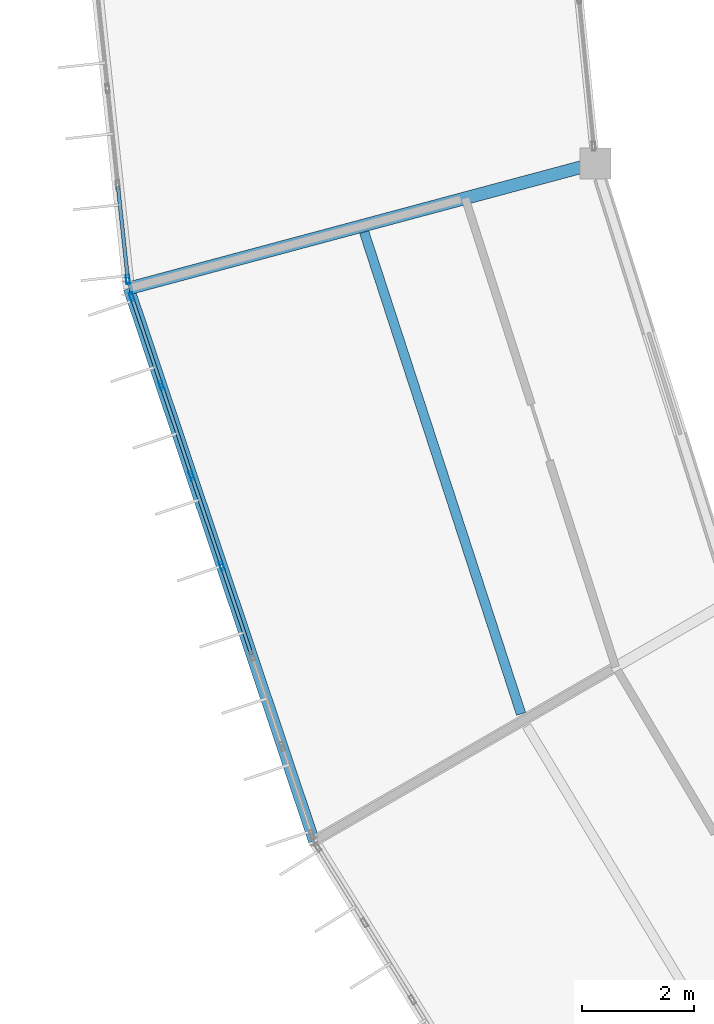
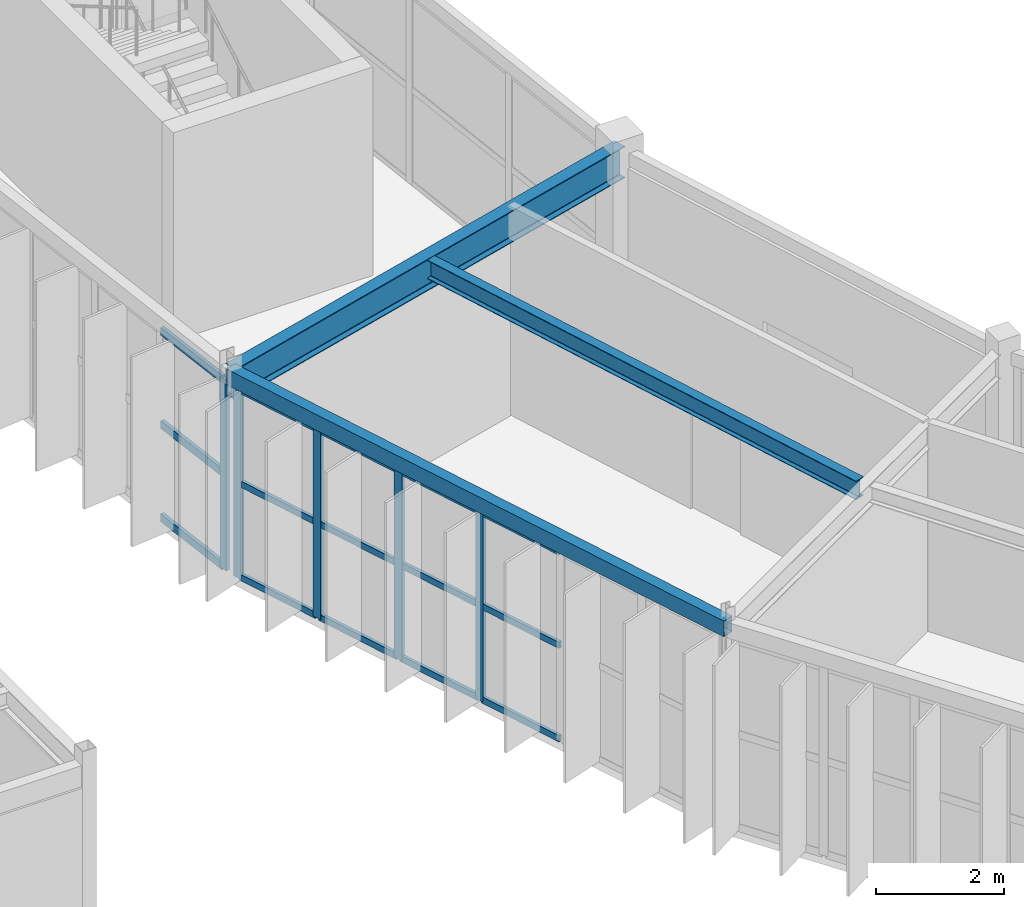
# One storey, part 49 of 157: 20 members, 3 beams, 2 elements without a shape of their own.
"""IFC4 building model written with IfcOpenShell, lengths in metres."""

from ifc_helpers import new_model, si_unit, direction, frame, origin, origin_2d, place, context, subcontext, project, spatial, hollow_rectangle, i_section, extrude, material, material_profile, profile_set, type_object, element, aggregate, save


model = new_model("IFC4")

# Units and contexts
model_context = context("Model", 3, precision=1e-05, world=origin(), true_north=direction((0.0, 1.0)))
body_context = subcontext(model_context, "Body", "Model", "MODEL_VIEW")
ifc_project = project(units=[si_unit("LENGTHUNIT", "METRE"), si_unit("AREAUNIT", "SQUARE_METRE"), si_unit("VOLUMEUNIT", "CUBIC_METRE"), si_unit("PLANEANGLEUNIT", "RADIAN"), si_unit("MASSUNIT", "GRAM", prefix="KILO")], contexts=[model_context])

# Site, building, storey
site_placement = place(None, origin())
site = spatial("IfcSite", under=ifc_project, at=site_placement, CompositionType="ELEMENT")
building_placement = place(site_placement, origin())
building = spatial("IfcBuilding", under=site, at=building_placement, Name="Karori Crest Natural Sciences Institute", CompositionType="ELEMENT")
storey_placement = place(building_placement, frame((0.0, 0.0, 13.300048828125)))
storey = spatial("IfcBuildingStorey", under=building, at=storey_placement, Name="L03", CompositionType="ELEMENT", Elevation=13.300048828125)

# Beams
ifc_material_1 = material(Name="Hollow structural steel AS/NZS 1163 Grade C350", Category="steel")
ifc_material_profile_1 = material_profile(ifc_material_1, hollow_rectangle(XDim=0.199951171875, YDim=0.300048828125, WallThickness=0.010009765625, at=origin_2d()), Name="RHS300x200x10")
ifc_profile_set_1 = profile_set([ifc_material_profile_1], Name="Hollow structural steel AS/NZS 1163 Grade C350")
beam_type_1 = type_object("IfcBeamType", Name="BT-15", PredefinedType="SPANDREL", material=ifc_profile_set_1)
beam_1_placement = place(storey_placement, frame((34.5244140625, 39.340087890625, 3.7900390625), z_axis=(0.317688324477, -0.948195195353, 0.0), x_axis=(0.948195195353, 0.317688324477, 0.0)))
element("IfcBeam", 1, at=beam_1_placement, inside=storey, type_object=beam_type_1, Name="Beam B-0408", PredefinedType="SPANDREL", context=body_context, shape_type="SweptSolid", body=[
    extrude(hollow_rectangle(XDim=0.199951171875, YDim=0.300048828125, WallThickness=0.010009765625, at=origin_2d()), origin(), (0.0, 0.0, 1.0), 10.377685546875),
])
ifc_material_2 = material(Name="Structural steel AS/NZS 3679.1 Grade 350", Category="steel")
ifc_material_profile_2 = material_profile(ifc_material_2, i_section(OverallWidth=0.22802734375, OverallDepth=0.60205078125, WebThickness=0.010498046875, FlangeThickness=0.014892578125, FilletRadius=0.013916015625, at=origin_2d()), Name="610UB101")
ifc_profile_set_2 = profile_set([ifc_material_profile_2], Name="Structural steel AS/NZS 3679.1 Grade 350")
beam_type_2 = type_object("IfcBeamType", Name="BT-27", PredefinedType="BEAM", material=ifc_profile_set_2)
beam_2_placement = place(storey_placement, frame((42.831298828125, 41.56591796875, 3.638916015625), z_axis=(-0.965925622404, -0.258819806009, 0.0), x_axis=(0.258819806009, -0.965925622404, 0.0)))
element("IfcBeam", 2, at=beam_2_placement, inside=storey, type_object=beam_type_2, Name="Beam B-0410", PredefinedType="BEAM", context=body_context, shape_type="SweptSolid", body=[
    extrude(i_section(OverallWidth=0.22802734375, OverallDepth=0.60205078125, WebThickness=0.010498046875, FlangeThickness=0.014892578125, FilletRadius=0.013916015625, at=origin_2d()), origin(), (0.0, 0.0, 1.0), 8.599853515625),
])
ifc_material_profile_3 = material_profile(ifc_material_2, i_section(OverallWidth=0.1708984375, OverallDepth=0.35595703125, WebThickness=0.00732421875, FlangeThickness=0.011474609375, FilletRadius=0.010986328125, at=origin_2d()), Name="360UB50.7")
ifc_profile_set_3 = profile_set([ifc_material_profile_3], Name="Structural steel AS/NZS 3679.1 Grade 350")
beam_type_3 = type_object("IfcBeamType", Name="BT-30", PredefinedType="BEAM", material=ifc_profile_set_3)
beam_3_placement = place(storey_placement, frame((38.715087890625, 40.339111328125, 3.761962890625), z_axis=(0.309674277679, -0.950842700842, 0.0), x_axis=(0.950842700842, 0.309674277679, 0.0)))
element("IfcBeam", 3, at=beam_3_placement, inside=storey, type_object=beam_type_3, Name="Beam B-0411", PredefinedType="BEAM", context=body_context, shape_type="SweptSolid", body=[
    extrude(i_section(OverallWidth=0.1708984375, OverallDepth=0.35595703125, WebThickness=0.00732421875, FlangeThickness=0.011474609375, FilletRadius=0.010986328125, at=origin_2d()), origin(), (0.0, 0.0, 1.0), 9.018310546875),
])

# Curtain wall, member
ifc_material_3 = material(Name="Anodised architectural aluminium 6063-T6", Category="aluminium")
curtain_wall_type_1 = type_object("IfcCurtainWallType", Name="CWT-03", PredefinedType="NOTDEFINED", material=ifc_material_3)
curtain_wall_1_placement = place(storey_placement, origin())
curtain_wall_1 = element("IfcCurtainWall", 4, at=curtain_wall_1_placement, inside=storey, type_object=curtain_wall_type_1, Name="Curtain wall CW-0118", PredefinedType="NOTDEFINED")
ifc_material_profile_4 = material_profile(ifc_material_3, hollow_rectangle(XDim=0.06494140625, YDim=0.159912109375, WallThickness=0.00390625, at=origin_2d()), Name="CWM160x65x4")
ifc_profile_set_4 = profile_set([ifc_material_profile_4], Name="Anodised architectural aluminium 6063-T6")
member_type_1 = type_object("IfcMemberType", Name="CWM-01", PredefinedType="MULLION", material=ifc_profile_set_4)
member_1_placement = place(storey_placement, frame((34.507568359375, 39.49755859375, 0.0), z_axis=(0.0, 0.0, 1.0), x_axis=(-0.994378435661, -0.105884496939, 0.0)))
member_1 = element("IfcMember", 5, at=member_1_placement, type_object=member_type_1, Name="CW-0118 mullion 1", PredefinedType="MULLION", context=body_context, shape_type="SweptSolid", body=[
    extrude(hollow_rectangle(XDim=0.06494140625, YDim=0.159912109375, WallThickness=0.00390625, at=origin_2d()), origin(), (0.0, 0.0, 1.0), 3.625),
])

# Curtain wall, members
curtain_wall_type_2 = type_object("IfcCurtainWallType", Name="CWT-04", PredefinedType="NOTDEFINED", material=ifc_material_3)
curtain_wall_2_placement = place(storey_placement, origin())
curtain_wall_2 = element("IfcCurtainWall", 6, at=curtain_wall_2_placement, inside=storey, type_object=curtain_wall_type_2, Name="Curtain wall CW-0120", PredefinedType="NOTDEFINED")
member_2_placement = place(storey_placement, frame((36.180419921875, 34.397216796875, 0.0), z_axis=(0.0, 0.0, 1.0), x_axis=(-0.94819805026, -0.317679803392, 0.0)))
member_2 = element("IfcMember", 7, at=member_2_placement, type_object=member_type_1, Name="CW-0120 mullion 4", PredefinedType="MULLION", context=body_context, shape_type="SweptSolid", body=[
    extrude(hollow_rectangle(XDim=0.06494140625, YDim=0.159912109375, WallThickness=0.00390625, at=origin_2d()), origin(), (0.0, 0.0, 1.0), 3.625),
])
member_3_placement = place(storey_placement, frame((35.642333984375, 36.003173828125, 0.0), z_axis=(0.0, 0.0, 1.0), x_axis=(-0.94819805026, -0.317679803392, 0.0)))
member_3 = element("IfcMember", 8, at=member_3_placement, type_object=member_type_1, Name="CW-0120 mullion 5", PredefinedType="MULLION", context=body_context, shape_type="SweptSolid", body=[
    extrude(hollow_rectangle(XDim=0.06494140625, YDim=0.159912109375, WallThickness=0.00390625, at=origin_2d()), origin(), (0.0, 0.0, 1.0), 3.625),
])
member_4_placement = place(storey_placement, frame((35.104248046875, 37.609130859375, 0.0), z_axis=(0.0, 0.0, 1.0), x_axis=(-0.94819805026, -0.317679803392, 0.0)))
member_4 = element("IfcMember", 9, at=member_4_placement, type_object=member_type_1, Name="CW-0120 mullion 6", PredefinedType="MULLION", context=body_context, shape_type="SweptSolid", body=[
    extrude(hollow_rectangle(XDim=0.06494140625, YDim=0.159912109375, WallThickness=0.00390625, at=origin_2d()), origin(), (0.0, 0.0, 1.0), 3.625),
])
member_5_placement = place(storey_placement, frame((34.57666015625, 39.184326171875, 0.0), z_axis=(0.0, 0.0, 1.0), x_axis=(-0.94819805026, -0.317679803392, 0.0)))
member_5 = element("IfcMember", 10, at=member_5_placement, type_object=member_type_1, Name="CW-0120 mullion 7", PredefinedType="MULLION", context=body_context, shape_type="SweptSolid", body=[
    extrude(hollow_rectangle(XDim=0.06494140625, YDim=0.159912109375, WallThickness=0.00390625, at=origin_2d()), origin(), (0.0, 0.0, 1.0), 3.625),
])
ifc_material_profile_5 = material_profile(ifc_material_3, hollow_rectangle(XDim=0.06005859375, YDim=0.1201171875, WallThickness=0.00390625, at=origin_2d()), Name="CWT120x60x4")
ifc_profile_set_5 = profile_set([ifc_material_profile_5], Name="Anodised architectural aluminium 6063-T6")
member_type_2 = type_object("IfcMemberType", Name="CWT-TR1", PredefinedType="USERDEFINED", material=ifc_profile_set_5)
member_6_placement = place(storey_placement, frame((36.708251953125, 32.822021484375, 0.030029296875), z_axis=(-0.317666571129, 0.948202483432, 0.0), x_axis=(-0.948202483432, -0.317666571129, 0.0)))
member_6 = element("IfcMember", 11, at=member_6_placement, type_object=member_type_2, Name="CW-0120 transom 3.1", ObjectType="TRANSOM", PredefinedType="USERDEFINED", context=body_context, shape_type="SweptSolid", body=[
    extrude(hollow_rectangle(XDim=0.06005859375, YDim=0.1201171875, WallThickness=0.00390625, at=origin_2d()), origin(), (0.0, 0.0, 1.0), 1.628662109375),
])
member_7_placement = place(storey_placement, frame((36.708251953125, 32.822021484375, 1.8125), z_axis=(-0.317666571129, 0.948202483432, 0.0), x_axis=(-0.948202483432, -0.317666571129, 0.0)))
member_7 = element("IfcMember", 12, at=member_7_placement, type_object=member_type_2, Name="CW-0120 transom 3.2", ObjectType="TRANSOM", PredefinedType="USERDEFINED", context=body_context, shape_type="SweptSolid", body=[
    extrude(hollow_rectangle(XDim=0.06005859375, YDim=0.1201171875, WallThickness=0.00390625, at=origin_2d()), origin(), (0.0, 0.0, 1.0), 1.628662109375),
])
member_8_placement = place(storey_placement, frame((36.708251953125, 32.822021484375, 3.594970703125), z_axis=(-0.317666571129, 0.948202483432, 0.0), x_axis=(-0.948202483432, -0.317666571129, 0.0)))
member_8 = element("IfcMember", 13, at=member_8_placement, type_object=member_type_2, Name="CW-0120 transom 3.3", ObjectType="TRANSOM", PredefinedType="USERDEFINED", context=body_context, shape_type="SweptSolid", body=[
    extrude(hollow_rectangle(XDim=0.06005859375, YDim=0.1201171875, WallThickness=0.00390625, at=origin_2d()), origin(), (0.0, 0.0, 1.0), 1.628662109375),
])
member_9_placement = place(storey_placement, frame((36.170166015625, 34.427978515625, 0.030029296875), z_axis=(-0.317666571129, 0.948202483432, 0.0), x_axis=(-0.948202483432, -0.317666571129, 0.0)))
member_9 = element("IfcMember", 14, at=member_9_placement, type_object=member_type_2, Name="CW-0120 transom 4.1", ObjectType="TRANSOM", PredefinedType="USERDEFINED", context=body_context, shape_type="SweptSolid", body=[
    extrude(hollow_rectangle(XDim=0.06005859375, YDim=0.1201171875, WallThickness=0.00390625, at=origin_2d()), origin(), (0.0, 0.0, 1.0), 1.628662109375),
])
member_10_placement = place(storey_placement, frame((36.170166015625, 34.427978515625, 1.8125), z_axis=(-0.317666571129, 0.948202483432, 0.0), x_axis=(-0.948202483432, -0.317666571129, 0.0)))
member_10 = element("IfcMember", 15, at=member_10_placement, type_object=member_type_2, Name="CW-0120 transom 4.2", ObjectType="TRANSOM", PredefinedType="USERDEFINED", context=body_context, shape_type="SweptSolid", body=[
    extrude(hollow_rectangle(XDim=0.06005859375, YDim=0.1201171875, WallThickness=0.00390625, at=origin_2d()), origin(), (0.0, 0.0, 1.0), 1.628662109375),
])
member_11_placement = place(storey_placement, frame((36.170166015625, 34.427978515625, 3.594970703125), z_axis=(-0.317666571129, 0.948202483432, 0.0), x_axis=(-0.948202483432, -0.317666571129, 0.0)))
member_11 = element("IfcMember", 16, at=member_11_placement, type_object=member_type_2, Name="CW-0120 transom 4.3", ObjectType="TRANSOM", PredefinedType="USERDEFINED", context=body_context, shape_type="SweptSolid", body=[
    extrude(hollow_rectangle(XDim=0.06005859375, YDim=0.1201171875, WallThickness=0.00390625, at=origin_2d()), origin(), (0.0, 0.0, 1.0), 1.628662109375),
])
member_12_placement = place(storey_placement, frame((35.632080078125, 36.033935546875, 0.030029296875), z_axis=(-0.317621421426, 0.948217608279, 0.0), x_axis=(-0.948217608279, -0.317621421426, 0.0)))
member_12 = element("IfcMember", 17, at=member_12_placement, type_object=member_type_2, Name="CW-0120 transom 5.1", ObjectType="TRANSOM", PredefinedType="USERDEFINED", context=body_context, shape_type="SweptSolid", body=[
    extrude(hollow_rectangle(XDim=0.06005859375, YDim=0.1201171875, WallThickness=0.00390625, at=origin_2d()), origin(), (0.0, 0.0, 1.0), 1.628662109375),
])
member_13_placement = place(storey_placement, frame((35.632080078125, 36.033935546875, 1.8125), z_axis=(-0.317621421426, 0.948217608279, 0.0), x_axis=(-0.948217608279, -0.317621421426, 0.0)))
member_13 = element("IfcMember", 18, at=member_13_placement, type_object=member_type_2, Name="CW-0120 transom 5.2", ObjectType="TRANSOM", PredefinedType="USERDEFINED", context=body_context, shape_type="SweptSolid", body=[
    extrude(hollow_rectangle(XDim=0.06005859375, YDim=0.1201171875, WallThickness=0.00390625, at=origin_2d()), origin(), (0.0, 0.0, 1.0), 1.628662109375),
])
member_14_placement = place(storey_placement, frame((35.632080078125, 36.033935546875, 3.594970703125), z_axis=(-0.317621421426, 0.948217608279, 0.0), x_axis=(-0.948217608279, -0.317621421426, 0.0)))
member_14 = element("IfcMember", 19, at=member_14_placement, type_object=member_type_2, Name="CW-0120 transom 5.3", ObjectType="TRANSOM", PredefinedType="USERDEFINED", context=body_context, shape_type="SweptSolid", body=[
    extrude(hollow_rectangle(XDim=0.06005859375, YDim=0.1201171875, WallThickness=0.00390625, at=origin_2d()), origin(), (0.0, 0.0, 1.0), 1.628662109375),
])
member_15_placement = place(storey_placement, frame((35.093994140625, 37.639892578125, 0.030029296875), z_axis=(-0.317649722808, 0.948208127786, 0.0), x_axis=(-0.948208127786, -0.317649722808, 0.0)))
member_15 = element("IfcMember", 20, at=member_15_placement, type_object=member_type_2, Name="CW-0120 transom 6.1", ObjectType="TRANSOM", PredefinedType="USERDEFINED", context=body_context, shape_type="SweptSolid", body=[
    extrude(hollow_rectangle(XDim=0.06005859375, YDim=0.1201171875, WallThickness=0.00390625, at=origin_2d()), origin(), (0.0, 0.0, 1.0), 1.596435546875),
])
member_16_placement = place(storey_placement, frame((35.093994140625, 37.639892578125, 1.8125), z_axis=(-0.317649722808, 0.948208127786, 0.0), x_axis=(-0.948208127786, -0.317649722808, 0.0)))
member_16 = element("IfcMember", 21, at=member_16_placement, type_object=member_type_2, Name="CW-0120 transom 6.2", ObjectType="TRANSOM", PredefinedType="USERDEFINED", context=body_context, shape_type="SweptSolid", body=[
    extrude(hollow_rectangle(XDim=0.06005859375, YDim=0.1201171875, WallThickness=0.00390625, at=origin_2d()), origin(), (0.0, 0.0, 1.0), 1.596435546875),
])
member_17_placement = place(storey_placement, frame((35.093994140625, 37.639892578125, 3.594970703125), z_axis=(-0.317649722808, 0.948208127786, 0.0), x_axis=(-0.948208127786, -0.317649722808, 0.0)))
member_17 = element("IfcMember", 22, at=member_17_placement, type_object=member_type_2, Name="CW-0120 transom 6.3", ObjectType="TRANSOM", PredefinedType="USERDEFINED", context=body_context, shape_type="SweptSolid", body=[
    extrude(hollow_rectangle(XDim=0.06005859375, YDim=0.1201171875, WallThickness=0.00390625, at=origin_2d()), origin(), (0.0, 0.0, 1.0), 1.596435546875),
])
aggregate(curtain_wall_2, [member_2, member_3, member_4, member_5, member_6, member_7, member_8, member_9, member_10, member_11, member_12, member_13, member_14, member_15, member_16, member_17])

# Member
ifc_material_profile_6 = material_profile(ifc_material_3, hollow_rectangle(XDim=0.06494140625, YDim=0.14990234375, WallThickness=0.00390625, at=origin_2d()), Name="CWT150x65x4")
ifc_profile_set_6 = profile_set([ifc_material_profile_6], Name="Anodised architectural aluminium 6063-T6")
member_type_3 = type_object("IfcMemberType", Name="CWT-TR2", PredefinedType="USERDEFINED", material=ifc_profile_set_6)
member_18_placement = place(storey_placement, frame((34.504150390625, 39.52978515625, 0.032470703125), z_axis=(-0.105893191658, 0.994377509782, 0.0), x_axis=(-0.994377509782, -0.105893191658, 0.0)))
member_18 = element("IfcMember", 23, at=member_18_placement, type_object=member_type_3, Name="CW-0118 transom 1.1", ObjectType="TRANSOM", PredefinedType="USERDEFINED", context=body_context, shape_type="SweptSolid", body=[
    extrude(hollow_rectangle(XDim=0.06494140625, YDim=0.14990234375, WallThickness=0.00390625, at=origin_2d()), origin(), (0.0, 0.0, 1.0), 1.630126953125),
])

member_19_placement = place(storey_placement, frame((34.504150390625, 39.52978515625, 1.8125), z_axis=(-0.105893191658, 0.994377509782, 0.0), x_axis=(-0.994377509782, -0.105893191658, 0.0)))
member_19 = element("IfcMember", 24, at=member_19_placement, type_object=member_type_3, Name="CW-0118 transom 1.2", ObjectType="TRANSOM", PredefinedType="USERDEFINED", context=body_context, shape_type="SweptSolid", body=[
    extrude(hollow_rectangle(XDim=0.06494140625, YDim=0.14990234375, WallThickness=0.00390625, at=origin_2d()), origin(), (0.0, 0.0, 1.0), 1.630126953125),
])

member_20_placement = place(storey_placement, frame((34.504150390625, 39.52978515625, 3.592529296875), z_axis=(-0.105893191658, 0.994377509782, 0.0), x_axis=(-0.994377509782, -0.105893191658, 0.0)))
member_20 = element("IfcMember", 25, at=member_20_placement, type_object=member_type_3, Name="CW-0118 transom 1.3", ObjectType="TRANSOM", PredefinedType="USERDEFINED", context=body_context, shape_type="SweptSolid", body=[
    extrude(hollow_rectangle(XDim=0.06494140625, YDim=0.14990234375, WallThickness=0.00390625, at=origin_2d()), origin(), (0.0, 0.0, 1.0), 1.630126953125),
])

aggregate(curtain_wall_1, [member_1, member_18, member_19, member_20])

save(model, "model.ifc")
